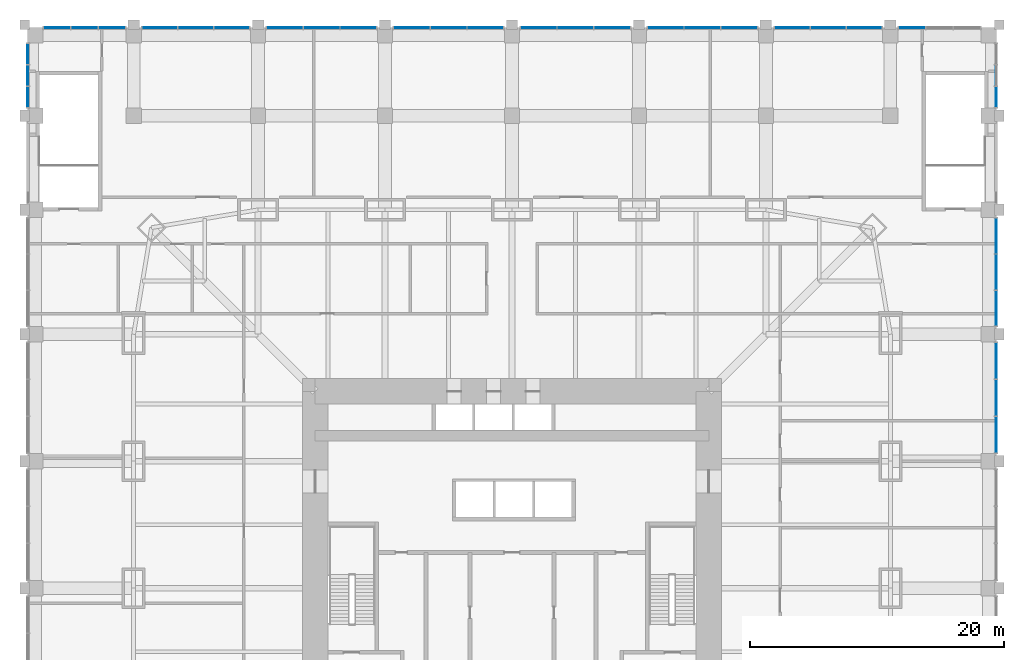
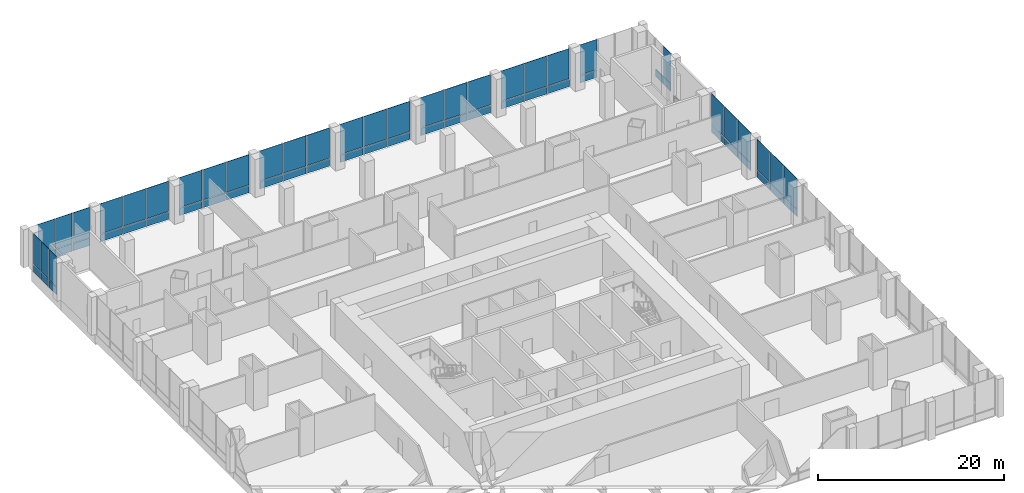
# One storey, part 15 of 22: 65 plates, 12 elements without a shape of their own.
"""IFC4 building model written with IfcOpenShell, lengths in metres."""

from ifc_helpers import new_model, si_unit, direction, frame, origin, origin_2d, place, context, subcontext, project, spatial, rectangle, extrude, material, layer, layer_set, type_object, element, aggregate, save


model = new_model("IFC4")

# Units and contexts
model_context = context("Model", 3, precision=1e-05, world=origin(), true_north=direction((0.0, 1.0)))
body_context = subcontext(model_context, "Body", "Model", "MODEL_VIEW")
ifc_project = project(units=[si_unit("LENGTHUNIT", "METRE"), si_unit("AREAUNIT", "SQUARE_METRE"), si_unit("VOLUMEUNIT", "CUBIC_METRE"), si_unit("PLANEANGLEUNIT", "RADIAN"), si_unit("MASSUNIT", "GRAM", prefix="KILO")], contexts=[model_context])

# Site, building, storey
site_placement = place(None, origin())
site = spatial("IfcSite", under=ifc_project, at=site_placement, CompositionType="ELEMENT")
building_placement = place(site_placement, origin())
building = spatial("IfcBuilding", under=site, at=building_placement, Name="Khuree Lantern Residences", CompositionType="ELEMENT")
storey_placement = place(building_placement, frame((0.0, 0.0, 16.0)))
storey = spatial("IfcBuildingStorey", under=building, at=storey_placement, Name="L03", CompositionType="ELEMENT", Elevation=16.0)

# Curtain wall, plates
ifc_material_1 = material(Name="Bronze anodised aluminium", Category="aluminium")
curtain_wall_type = type_object("IfcCurtainWallType", Name="CW-P PODIUM STOREFRONT CURTAIN WALL", PredefinedType="USERDEFINED", material=ifc_material_1)
curtain_wall_1_placement = place(storey_placement, origin())
curtain_wall_1 = element("IfcCurtainWall", 1, at=curtain_wall_1_placement, inside=storey, type_object=curtain_wall_type, Name="L03 EAST FACE BAY 5 STOREFRONT", ObjectType="Storefront curtain wall", PredefinedType="USERDEFINED")
ifc_material_2 = material(Name="Bronze tinted laminated triple glazing", Category="glass")
ifc_layer_1 = layer(ifc_material_2, 0.0400390625)
ifc_layer_set_1 = layer_set([ifc_layer_1], Name="STOREFRONT GLASS PANEL P9")
plate_type_1 = type_object("IfcPlateType", Name="STOREFRONT GLASS PANEL P9", PredefinedType="CURTAIN_PANEL", material=ifc_layer_set_1)
plate_1_placement = place(storey_placement, frame((38.14990234375, 12.091552734375, 1.03759765625), z_axis=(0.0, 0.0, 1.0), x_axis=(0.0, 1.0, 0.0)))
plate_1 = element("IfcPlate", 2, at=plate_1_placement, type_object=plate_type_1, Name="L03 EAST FACE BAY 5 PANEL 1.2", PredefinedType="CURTAIN_PANEL", context=body_context, shape_type="SweptSolid", body=[
    extrude(rectangle(XDim=2.833251953125, YDim=0.0400390625, at=origin_2d()), origin(), (0.0, 0.0, 1.0), 3.96240234375),
])
plate_2_placement = place(storey_placement, frame((38.14990234375, 15.0, 1.03759765625), z_axis=(0.0, 0.0, 1.0), x_axis=(0.0, 1.0, 0.0)))
plate_2 = element("IfcPlate", 3, at=plate_2_placement, type_object=plate_type_1, Name="L03 EAST FACE BAY 5 PANEL 2.2", PredefinedType="CURTAIN_PANEL", context=body_context, shape_type="SweptSolid", body=[
    extrude(rectangle(XDim=2.833251953125, YDim=0.0400390625, at=origin_2d()), origin(), (0.0, 0.0, 1.0), 3.96240234375),
])
plate_3_placement = place(storey_placement, frame((38.14990234375, 17.908447265625, 1.03759765625), z_axis=(0.0, 0.0, 1.0), x_axis=(0.0, 1.0, 0.0)))
plate_3 = element("IfcPlate", 4, at=plate_3_placement, type_object=plate_type_1, Name="L03 EAST FACE BAY 5 PANEL 3.2", PredefinedType="CURTAIN_PANEL", context=body_context, shape_type="SweptSolid", body=[
    extrude(rectangle(XDim=2.833251953125, YDim=0.0400390625, at=origin_2d()), origin(), (0.0, 0.0, 1.0), 3.96240234375),
])

curtain_wall_2_placement = place(storey_placement, origin())
curtain_wall_2 = element("IfcCurtainWall", 5, at=curtain_wall_2_placement, inside=storey, type_object=curtain_wall_type, Name="L03 EAST FACE BAY 6 STOREFRONT", ObjectType="Storefront curtain wall", PredefinedType="USERDEFINED")
plate_4_placement = place(storey_placement, frame((38.14990234375, 22.058349609375, 1.03759765625), z_axis=(0.0, 0.0, 1.0), x_axis=(0.0, 1.0, 0.0)))
plate_4 = element("IfcPlate", 6, at=plate_4_placement, type_object=plate_type_1, Name="L03 EAST FACE BAY 6 PANEL 1.2", PredefinedType="CURTAIN_PANEL", context=body_context, shape_type="SweptSolid", body=[
    extrude(rectangle(XDim=2.7666015625, YDim=0.0400390625, at=origin_2d()), origin(), (0.0, 0.0, 1.0), 3.96240234375),
])
plate_5_placement = place(storey_placement, frame((38.14990234375, 24.89990234375, 1.03759765625), z_axis=(0.0, 0.0, 1.0), x_axis=(0.0, 1.0, 0.0)))
plate_5 = element("IfcPlate", 7, at=plate_5_placement, type_object=plate_type_1, Name="L03 EAST FACE BAY 6 PANEL 2.2", PredefinedType="CURTAIN_PANEL", context=body_context, shape_type="SweptSolid", body=[
    extrude(rectangle(XDim=2.7666015625, YDim=0.0400390625, at=origin_2d()), origin(), (0.0, 0.0, 1.0), 3.96240234375),
])
plate_6_placement = place(storey_placement, frame((38.14990234375, 27.74169921875, 1.03759765625), z_axis=(0.0, 0.0, 1.0), x_axis=(0.0, 1.0, 0.0)))
plate_6 = element("IfcPlate", 8, at=plate_6_placement, type_object=plate_type_1, Name="L03 EAST FACE BAY 6 PANEL 3.2", PredefinedType="CURTAIN_PANEL", context=body_context, shape_type="SweptSolid", body=[
    extrude(rectangle(XDim=2.7666015625, YDim=0.0400390625, at=origin_2d()), origin(), (0.0, 0.0, 1.0), 3.96240234375),
])

# Curtain wall, plate
curtain_wall_3_placement = place(storey_placement, origin())
curtain_wall_3 = element("IfcCurtainWall", 9, at=curtain_wall_3_placement, inside=storey, type_object=curtain_wall_type, Name="L03 EAST FACE BAY 8 STOREFRONT", ObjectType="Storefront curtain wall", PredefinedType="USERDEFINED")
plate_7_placement = place(storey_placement, frame((38.14990234375, 38.683349609375, 1.03759765625), z_axis=(0.0, 0.0, 1.0), x_axis=(0.0, 1.0, 0.0)))
plate_7 = element("IfcPlate", 10, at=plate_7_placement, type_object=plate_type_1, Name="L03 EAST FACE BAY 8 PANEL 1.2", PredefinedType="CURTAIN_PANEL", context=body_context, shape_type="SweptSolid", body=[
    extrude(rectangle(XDim=1.61669921875, YDim=0.0400390625, at=origin_2d()), origin(), (0.0, 0.0, 1.0), 3.96240234375),
])

curtain_wall_4_placement = place(storey_placement, origin())
curtain_wall_4 = element("IfcCurtainWall", 11, at=curtain_wall_4_placement, inside=storey, type_object=curtain_wall_type, Name="L03 NORTH FACE BAY 1 STOREFRONT", ObjectType="Storefront curtain wall", PredefinedType="USERDEFINED")
plate_8_placement = place(storey_placement, frame((31.5166015625, 44.14990234375, 1.03759765625), z_axis=(0.0, 0.0, 1.0), x_axis=(-1.0, 0.0, 0.0)))
plate_8 = element("IfcPlate", 12, at=plate_8_placement, type_object=plate_type_1, Name="L03 NORTH FACE BAY 1 PANEL 3.2", PredefinedType="CURTAIN_PANEL", context=body_context, shape_type="SweptSolid", body=[
    extrude(rectangle(XDim=2.083251953125, YDim=0.0400390625, at=origin_2d()), origin(), (0.0, 0.0, 1.0), 3.96240234375),
])

# Curtain wall, plates
curtain_wall_5_placement = place(storey_placement, origin())
curtain_wall_5 = element("IfcCurtainWall", 13, at=curtain_wall_5_placement, inside=storey, type_object=curtain_wall_type, Name="L03 NORTH FACE BAY 2 STOREFRONT", ObjectType="Storefront curtain wall", PredefinedType="USERDEFINED")
plate_9_placement = place(storey_placement, frame((27.74169921875, 44.14990234375, 1.03759765625), z_axis=(0.0, 0.0, 1.0), x_axis=(-1.0, 0.0, 0.0)))
plate_9 = element("IfcPlate", 14, at=plate_9_placement, type_object=plate_type_1, Name="L03 NORTH FACE BAY 2 PANEL 1.2", PredefinedType="CURTAIN_PANEL", context=body_context, shape_type="SweptSolid", body=[
    extrude(rectangle(XDim=2.7666015625, YDim=0.0400390625, at=origin_2d()), origin(), (0.0, 0.0, 1.0), 3.96240234375),
])
plate_10_placement = place(storey_placement, frame((24.89990234375, 44.14990234375, 1.03759765625), z_axis=(0.0, 0.0, 1.0), x_axis=(-1.0, 0.0, 0.0)))
plate_10 = element("IfcPlate", 15, at=plate_10_placement, type_object=plate_type_1, Name="L03 NORTH FACE BAY 2 PANEL 2.2", PredefinedType="CURTAIN_PANEL", context=body_context, shape_type="SweptSolid", body=[
    extrude(rectangle(XDim=2.7666015625, YDim=0.0400390625, at=origin_2d()), origin(), (0.0, 0.0, 1.0), 3.96240234375),
])
plate_11_placement = place(storey_placement, frame((22.058349609375, 44.14990234375, 1.03759765625), z_axis=(0.0, 0.0, 1.0), x_axis=(-1.0, 0.0, 0.0)))
plate_11 = element("IfcPlate", 16, at=plate_11_placement, type_object=plate_type_1, Name="L03 NORTH FACE BAY 2 PANEL 3.2", PredefinedType="CURTAIN_PANEL", context=body_context, shape_type="SweptSolid", body=[
    extrude(rectangle(XDim=2.7666015625, YDim=0.0400390625, at=origin_2d()), origin(), (0.0, 0.0, 1.0), 3.96240234375),
])

curtain_wall_6_placement = place(storey_placement, origin())
curtain_wall_6 = element("IfcCurtainWall", 17, at=curtain_wall_6_placement, inside=storey, type_object=curtain_wall_type, Name="L03 NORTH FACE BAY 3 STOREFRONT", ObjectType="Storefront curtain wall", PredefinedType="USERDEFINED")
plate_12_placement = place(storey_placement, frame((17.908447265625, 44.14990234375, 1.03759765625), z_axis=(0.0, 0.0, 1.0), x_axis=(-1.0, 0.0, 0.0)))
plate_12 = element("IfcPlate", 18, at=plate_12_placement, type_object=plate_type_1, Name="L03 NORTH FACE BAY 3 PANEL 1.2", PredefinedType="CURTAIN_PANEL", context=body_context, shape_type="SweptSolid", body=[
    extrude(rectangle(XDim=2.833251953125, YDim=0.0400390625, at=origin_2d()), origin(), (0.0, 0.0, 1.0), 3.96240234375),
])
plate_13_placement = place(storey_placement, frame((15.0, 44.14990234375, 1.03759765625), z_axis=(0.0, 0.0, 1.0), x_axis=(-1.0, 0.0, 0.0)))
plate_13 = element("IfcPlate", 19, at=plate_13_placement, type_object=plate_type_1, Name="L03 NORTH FACE BAY 3 PANEL 2.2", PredefinedType="CURTAIN_PANEL", context=body_context, shape_type="SweptSolid", body=[
    extrude(rectangle(XDim=2.833251953125, YDim=0.0400390625, at=origin_2d()), origin(), (0.0, 0.0, 1.0), 3.96240234375),
])
plate_14_placement = place(storey_placement, frame((12.091552734375, 44.14990234375, 1.03759765625), z_axis=(0.0, 0.0, 1.0), x_axis=(-1.0, 0.0, 0.0)))
plate_14 = element("IfcPlate", 20, at=plate_14_placement, type_object=plate_type_1, Name="L03 NORTH FACE BAY 3 PANEL 3.2", PredefinedType="CURTAIN_PANEL", context=body_context, shape_type="SweptSolid", body=[
    extrude(rectangle(XDim=2.833251953125, YDim=0.0400390625, at=origin_2d()), origin(), (0.0, 0.0, 1.0), 3.96240234375),
])

curtain_wall_7_placement = place(storey_placement, origin())
curtain_wall_7 = element("IfcCurtainWall", 21, at=curtain_wall_7_placement, inside=storey, type_object=curtain_wall_type, Name="L03 NORTH FACE BAY 4 STOREFRONT", ObjectType="Storefront curtain wall", PredefinedType="USERDEFINED")
plate_15_placement = place(storey_placement, frame((7.908447265625, 44.14990234375, 1.03759765625), z_axis=(0.0, 0.0, 1.0), x_axis=(-1.0, 0.0, 0.0)))
plate_15 = element("IfcPlate", 22, at=plate_15_placement, type_object=plate_type_1, Name="L03 NORTH FACE BAY 4 PANEL 1.2", PredefinedType="CURTAIN_PANEL", context=body_context, shape_type="SweptSolid", body=[
    extrude(rectangle(XDim=2.833251953125, YDim=0.0400390625, at=origin_2d()), origin(), (0.0, 0.0, 1.0), 3.96240234375),
])
plate_16_placement = place(storey_placement, frame((5.0, 44.14990234375, 1.03759765625), z_axis=(0.0, 0.0, 1.0), x_axis=(-1.0, 0.0, 0.0)))
plate_16 = element("IfcPlate", 23, at=plate_16_placement, type_object=plate_type_1, Name="L03 NORTH FACE BAY 4 PANEL 2.2", PredefinedType="CURTAIN_PANEL", context=body_context, shape_type="SweptSolid", body=[
    extrude(rectangle(XDim=2.833251953125, YDim=0.0400390625, at=origin_2d()), origin(), (0.0, 0.0, 1.0), 3.96240234375),
])
plate_17_placement = place(storey_placement, frame((2.091552734375, 44.14990234375, 1.03759765625), z_axis=(0.0, 0.0, 1.0), x_axis=(-1.0, 0.0, 0.0)))
plate_17 = element("IfcPlate", 24, at=plate_17_placement, type_object=plate_type_1, Name="L03 NORTH FACE BAY 4 PANEL 3.2", PredefinedType="CURTAIN_PANEL", context=body_context, shape_type="SweptSolid", body=[
    extrude(rectangle(XDim=2.833251953125, YDim=0.0400390625, at=origin_2d()), origin(), (0.0, 0.0, 1.0), 3.96240234375),
])

curtain_wall_8_placement = place(storey_placement, origin())
curtain_wall_8 = element("IfcCurtainWall", 25, at=curtain_wall_8_placement, inside=storey, type_object=curtain_wall_type, Name="L03 NORTH FACE BAY 5 STOREFRONT", ObjectType="Storefront curtain wall", PredefinedType="USERDEFINED")
plate_18_placement = place(storey_placement, frame((-2.091552734375, 44.14990234375, 1.03759765625), z_axis=(0.0, 0.0, 1.0), x_axis=(-1.0, 0.0, 0.0)))
plate_18 = element("IfcPlate", 26, at=plate_18_placement, type_object=plate_type_1, Name="L03 NORTH FACE BAY 5 PANEL 1.2", PredefinedType="CURTAIN_PANEL", context=body_context, shape_type="SweptSolid", body=[
    extrude(rectangle(XDim=2.833251953125, YDim=0.0400390625, at=origin_2d()), origin(), (0.0, 0.0, 1.0), 3.96240234375),
])
plate_19_placement = place(storey_placement, frame((-5.0, 44.14990234375, 1.03759765625), z_axis=(0.0, 0.0, 1.0), x_axis=(-1.0, 0.0, 0.0)))
plate_19 = element("IfcPlate", 27, at=plate_19_placement, type_object=plate_type_1, Name="L03 NORTH FACE BAY 5 PANEL 2.2", PredefinedType="CURTAIN_PANEL", context=body_context, shape_type="SweptSolid", body=[
    extrude(rectangle(XDim=2.833251953125, YDim=0.0400390625, at=origin_2d()), origin(), (0.0, 0.0, 1.0), 3.96240234375),
])
plate_20_placement = place(storey_placement, frame((-7.908447265625, 44.14990234375, 1.03759765625), z_axis=(0.0, 0.0, 1.0), x_axis=(-1.0, 0.0, 0.0)))
plate_20 = element("IfcPlate", 28, at=plate_20_placement, type_object=plate_type_1, Name="L03 NORTH FACE BAY 5 PANEL 3.2", PredefinedType="CURTAIN_PANEL", context=body_context, shape_type="SweptSolid", body=[
    extrude(rectangle(XDim=2.833251953125, YDim=0.0400390625, at=origin_2d()), origin(), (0.0, 0.0, 1.0), 3.96240234375),
])

curtain_wall_9_placement = place(storey_placement, origin())
curtain_wall_9 = element("IfcCurtainWall", 29, at=curtain_wall_9_placement, inside=storey, type_object=curtain_wall_type, Name="L03 NORTH FACE BAY 6 STOREFRONT", ObjectType="Storefront curtain wall", PredefinedType="USERDEFINED")
plate_21_placement = place(storey_placement, frame((-12.091552734375, 44.14990234375, 1.03759765625), z_axis=(0.0, 0.0, 1.0), x_axis=(-1.0, 0.0, 0.0)))
plate_21 = element("IfcPlate", 30, at=plate_21_placement, type_object=plate_type_1, Name="L03 NORTH FACE BAY 6 PANEL 1.2", PredefinedType="CURTAIN_PANEL", context=body_context, shape_type="SweptSolid", body=[
    extrude(rectangle(XDim=2.833251953125, YDim=0.0400390625, at=origin_2d()), origin(), (0.0, 0.0, 1.0), 3.96240234375),
])
plate_22_placement = place(storey_placement, frame((-15.0, 44.14990234375, 1.03759765625), z_axis=(0.0, 0.0, 1.0), x_axis=(-1.0, 0.0, 0.0)))
plate_22 = element("IfcPlate", 31, at=plate_22_placement, type_object=plate_type_1, Name="L03 NORTH FACE BAY 6 PANEL 2.2", PredefinedType="CURTAIN_PANEL", context=body_context, shape_type="SweptSolid", body=[
    extrude(rectangle(XDim=2.833251953125, YDim=0.0400390625, at=origin_2d()), origin(), (0.0, 0.0, 1.0), 3.96240234375),
])
plate_23_placement = place(storey_placement, frame((-17.908447265625, 44.14990234375, 1.03759765625), z_axis=(0.0, 0.0, 1.0), x_axis=(-1.0, 0.0, 0.0)))
plate_23 = element("IfcPlate", 32, at=plate_23_placement, type_object=plate_type_1, Name="L03 NORTH FACE BAY 6 PANEL 3.2", PredefinedType="CURTAIN_PANEL", context=body_context, shape_type="SweptSolid", body=[
    extrude(rectangle(XDim=2.833251953125, YDim=0.0400390625, at=origin_2d()), origin(), (0.0, 0.0, 1.0), 3.96240234375),
])

curtain_wall_10_placement = place(storey_placement, origin())
curtain_wall_10 = element("IfcCurtainWall", 33, at=curtain_wall_10_placement, inside=storey, type_object=curtain_wall_type, Name="L03 NORTH FACE BAY 7 STOREFRONT", ObjectType="Storefront curtain wall", PredefinedType="USERDEFINED")
plate_24_placement = place(storey_placement, frame((-22.058349609375, 44.14990234375, 1.03759765625), z_axis=(0.0, 0.0, 1.0), x_axis=(-1.0, 0.0, 0.0)))
plate_24 = element("IfcPlate", 34, at=plate_24_placement, type_object=plate_type_1, Name="L03 NORTH FACE BAY 7 PANEL 1.2", PredefinedType="CURTAIN_PANEL", context=body_context, shape_type="SweptSolid", body=[
    extrude(rectangle(XDim=2.7666015625, YDim=0.0400390625, at=origin_2d()), origin(), (0.0, 0.0, 1.0), 3.96240234375),
])
plate_25_placement = place(storey_placement, frame((-24.89990234375, 44.14990234375, 1.03759765625), z_axis=(0.0, 0.0, 1.0), x_axis=(-1.0, 0.0, 0.0)))
plate_25 = element("IfcPlate", 35, at=plate_25_placement, type_object=plate_type_1, Name="L03 NORTH FACE BAY 7 PANEL 2.2", PredefinedType="CURTAIN_PANEL", context=body_context, shape_type="SweptSolid", body=[
    extrude(rectangle(XDim=2.7666015625, YDim=0.0400390625, at=origin_2d()), origin(), (0.0, 0.0, 1.0), 3.96240234375),
])
plate_26_placement = place(storey_placement, frame((-27.74169921875, 44.14990234375, 1.03759765625), z_axis=(0.0, 0.0, 1.0), x_axis=(-1.0, 0.0, 0.0)))
plate_26 = element("IfcPlate", 36, at=plate_26_placement, type_object=plate_type_1, Name="L03 NORTH FACE BAY 7 PANEL 3.2", PredefinedType="CURTAIN_PANEL", context=body_context, shape_type="SweptSolid", body=[
    extrude(rectangle(XDim=2.7666015625, YDim=0.0400390625, at=origin_2d()), origin(), (0.0, 0.0, 1.0), 3.96240234375),
])

curtain_wall_11_placement = place(storey_placement, origin())
curtain_wall_11 = element("IfcCurtainWall", 37, at=curtain_wall_11_placement, inside=storey, type_object=curtain_wall_type, Name="L03 NORTH FACE BAY 8 STOREFRONT", ObjectType="Storefront curtain wall", PredefinedType="USERDEFINED")
plate_27_placement = place(storey_placement, frame((-31.5166015625, 44.14990234375, 1.03759765625), z_axis=(0.0, 0.0, 1.0), x_axis=(-1.0, 0.0, 0.0)))
plate_27 = element("IfcPlate", 38, at=plate_27_placement, type_object=plate_type_1, Name="L03 NORTH FACE BAY 8 PANEL 1.2", PredefinedType="CURTAIN_PANEL", context=body_context, shape_type="SweptSolid", body=[
    extrude(rectangle(XDim=2.083251953125, YDim=0.0400390625, at=origin_2d()), origin(), (0.0, 0.0, 1.0), 3.96240234375),
])
plate_28_placement = place(storey_placement, frame((-33.675048828125, 44.14990234375, 1.03759765625), z_axis=(0.0, 0.0, 1.0), x_axis=(-1.0, 0.0, 0.0)))
plate_28 = element("IfcPlate", 39, at=plate_28_placement, type_object=plate_type_1, Name="L03 NORTH FACE BAY 8 PANEL 2.2", PredefinedType="CURTAIN_PANEL", context=body_context, shape_type="SweptSolid", body=[
    extrude(rectangle(XDim=2.083251953125, YDim=0.0400390625, at=origin_2d()), origin(), (0.0, 0.0, 1.0), 3.96240234375),
])
plate_29_placement = place(storey_placement, frame((-35.833251953125, 44.14990234375, 1.03759765625), z_axis=(0.0, 0.0, 1.0), x_axis=(-1.0, 0.0, 0.0)))
plate_29 = element("IfcPlate", 40, at=plate_29_placement, type_object=plate_type_1, Name="L03 NORTH FACE BAY 8 PANEL 3.2", PredefinedType="CURTAIN_PANEL", context=body_context, shape_type="SweptSolid", body=[
    extrude(rectangle(XDim=2.083251953125, YDim=0.0400390625, at=origin_2d()), origin(), (0.0, 0.0, 1.0), 3.96240234375),
])

curtain_wall_12_placement = place(storey_placement, origin())
curtain_wall_12 = element("IfcCurtainWall", 41, at=curtain_wall_12_placement, inside=storey, type_object=curtain_wall_type, Name="L03 WEST FACE BAY 1 STOREFRONT", ObjectType="Storefront curtain wall", PredefinedType="USERDEFINED")
plate_30_placement = place(storey_placement, frame((-38.14990234375, 42.066650390625, 1.03759765625), z_axis=(0.0, 0.0, 1.0), x_axis=(0.0, -1.0, 0.0)))
plate_30 = element("IfcPlate", 42, at=plate_30_placement, type_object=plate_type_1, Name="L03 WEST FACE BAY 1 PANEL 1.2", PredefinedType="CURTAIN_PANEL", context=body_context, shape_type="SweptSolid", body=[
    extrude(rectangle(XDim=1.61669921875, YDim=0.0400390625, at=origin_2d()), origin(), (0.0, 0.0, 1.0), 3.96240234375),
])
plate_31_placement = place(storey_placement, frame((-38.14990234375, 40.375, 1.03759765625), z_axis=(0.0, 0.0, 1.0), x_axis=(0.0, -1.0, 0.0)))
plate_31 = element("IfcPlate", 43, at=plate_31_placement, type_object=plate_type_1, Name="L03 WEST FACE BAY 1 PANEL 2.2", PredefinedType="CURTAIN_PANEL", context=body_context, shape_type="SweptSolid", body=[
    extrude(rectangle(XDim=1.61669921875, YDim=0.0400390625, at=origin_2d()), origin(), (0.0, 0.0, 1.0), 3.96240234375),
])
plate_32_placement = place(storey_placement, frame((-38.14990234375, 38.683349609375, 1.03759765625), z_axis=(0.0, 0.0, 1.0), x_axis=(0.0, -1.0, 0.0)))
plate_32 = element("IfcPlate", 44, at=plate_32_placement, type_object=plate_type_1, Name="L03 WEST FACE BAY 1 PANEL 3.2", PredefinedType="CURTAIN_PANEL", context=body_context, shape_type="SweptSolid", body=[
    extrude(rectangle(XDim=1.61669921875, YDim=0.0400390625, at=origin_2d()), origin(), (0.0, 0.0, 1.0), 3.96240234375),
])

# Plate
ifc_material_3 = material(Name="Bronze anodised aluminium insulated spandrel", Category="aluminium")
ifc_layer_2 = layer(ifc_material_3, 0.06005859375)
ifc_layer_set_2 = layer_set([ifc_layer_2], Name="STOREFRONT SPANDREL PANEL P10")
plate_type_2 = type_object("IfcPlateType", Name="STOREFRONT SPANDREL PANEL P10", PredefinedType="CURTAIN_PANEL", material=ifc_layer_set_2)
plate_33_placement = place(storey_placement, frame((38.14990234375, 12.091552734375, 0.0), z_axis=(0.0, 0.0, 1.0), x_axis=(0.0, 1.0, 0.0)))
plate_33 = element("IfcPlate", 45, at=plate_33_placement, type_object=plate_type_2, Name="L03 EAST FACE BAY 5 PANEL 1.1", PredefinedType="CURTAIN_PANEL", context=body_context, shape_type="SweptSolid", body=[
    extrude(rectangle(XDim=2.833251953125, YDim=0.06005859375, at=origin_2d()), origin(), (0.0, 0.0, 1.0), 0.96240234375),
])

plate_34_placement = place(storey_placement, frame((38.14990234375, 15.0, 0.0), z_axis=(0.0, 0.0, 1.0), x_axis=(0.0, 1.0, 0.0)))
plate_34 = element("IfcPlate", 46, at=plate_34_placement, type_object=plate_type_2, Name="L03 EAST FACE BAY 5 PANEL 2.1", PredefinedType="CURTAIN_PANEL", context=body_context, shape_type="SweptSolid", body=[
    extrude(rectangle(XDim=2.833251953125, YDim=0.06005859375, at=origin_2d()), origin(), (0.0, 0.0, 1.0), 0.96240234375),
])

plate_35_placement = place(storey_placement, frame((38.14990234375, 17.908447265625, 0.0), z_axis=(0.0, 0.0, 1.0), x_axis=(0.0, 1.0, 0.0)))
plate_35 = element("IfcPlate", 47, at=plate_35_placement, type_object=plate_type_2, Name="L03 EAST FACE BAY 5 PANEL 3.1", PredefinedType="CURTAIN_PANEL", context=body_context, shape_type="SweptSolid", body=[
    extrude(rectangle(XDim=2.833251953125, YDim=0.06005859375, at=origin_2d()), origin(), (0.0, 0.0, 1.0), 0.96240234375),
])

aggregate(curtain_wall_1, [plate_33, plate_1, plate_34, plate_2, plate_35, plate_3])

plate_36_placement = place(storey_placement, frame((38.14990234375, 22.058349609375, 0.0), z_axis=(0.0, 0.0, 1.0), x_axis=(0.0, 1.0, 0.0)))
plate_36 = element("IfcPlate", 48, at=plate_36_placement, type_object=plate_type_2, Name="L03 EAST FACE BAY 6 PANEL 1.1", PredefinedType="CURTAIN_PANEL", context=body_context, shape_type="SweptSolid", body=[
    extrude(rectangle(XDim=2.7666015625, YDim=0.06005859375, at=origin_2d()), origin(), (0.0, 0.0, 1.0), 0.96240234375),
])

plate_37_placement = place(storey_placement, frame((38.14990234375, 24.89990234375, 0.0), z_axis=(0.0, 0.0, 1.0), x_axis=(0.0, 1.0, 0.0)))
plate_37 = element("IfcPlate", 49, at=plate_37_placement, type_object=plate_type_2, Name="L03 EAST FACE BAY 6 PANEL 2.1", PredefinedType="CURTAIN_PANEL", context=body_context, shape_type="SweptSolid", body=[
    extrude(rectangle(XDim=2.7666015625, YDim=0.06005859375, at=origin_2d()), origin(), (0.0, 0.0, 1.0), 0.96240234375),
])

plate_38_placement = place(storey_placement, frame((38.14990234375, 27.74169921875, 0.0), z_axis=(0.0, 0.0, 1.0), x_axis=(0.0, 1.0, 0.0)))
plate_38 = element("IfcPlate", 50, at=plate_38_placement, type_object=plate_type_2, Name="L03 EAST FACE BAY 6 PANEL 3.1", PredefinedType="CURTAIN_PANEL", context=body_context, shape_type="SweptSolid", body=[
    extrude(rectangle(XDim=2.7666015625, YDim=0.06005859375, at=origin_2d()), origin(), (0.0, 0.0, 1.0), 0.96240234375),
])

aggregate(curtain_wall_2, [plate_36, plate_4, plate_37, plate_5, plate_38, plate_6])

plate_39_placement = place(storey_placement, frame((38.14990234375, 38.683349609375, 0.0), z_axis=(0.0, 0.0, 1.0), x_axis=(0.0, 1.0, 0.0)))
plate_39 = element("IfcPlate", 51, at=plate_39_placement, type_object=plate_type_2, Name="L03 EAST FACE BAY 8 PANEL 1.1", PredefinedType="CURTAIN_PANEL", context=body_context, shape_type="SweptSolid", body=[
    extrude(rectangle(XDim=1.61669921875, YDim=0.06005859375, at=origin_2d()), origin(), (0.0, 0.0, 1.0), 0.96240234375),
])

plate_40_placement = place(storey_placement, frame((38.14990234375, 40.375, 0.0), z_axis=(0.0, 0.0, 1.0), x_axis=(0.0, 1.0, 0.0)))
plate_40 = element("IfcPlate", 52, at=plate_40_placement, type_object=plate_type_2, Name="L03 EAST FACE BAY 8 PANEL 2.1", PredefinedType="CURTAIN_PANEL", context=body_context, shape_type="SweptSolid", body=[
    extrude(rectangle(XDim=1.61669921875, YDim=0.06005859375, at=origin_2d()), origin(), (0.0, 0.0, 1.0), 0.96240234375),
])

aggregate(curtain_wall_3, [plate_39, plate_7, plate_40])

plate_41_placement = place(storey_placement, frame((31.5166015625, 44.14990234375, 0.0), z_axis=(0.0, 0.0, 1.0), x_axis=(-1.0, 0.0, 0.0)))
plate_41 = element("IfcPlate", 53, at=plate_41_placement, type_object=plate_type_2, Name="L03 NORTH FACE BAY 1 PANEL 3.1", PredefinedType="CURTAIN_PANEL", context=body_context, shape_type="SweptSolid", body=[
    extrude(rectangle(XDim=2.083251953125, YDim=0.06005859375, at=origin_2d()), origin(), (0.0, 0.0, 1.0), 0.96240234375),
])

aggregate(curtain_wall_4, [plate_41, plate_8])

plate_42_placement = place(storey_placement, frame((27.74169921875, 44.14990234375, 0.0), z_axis=(0.0, 0.0, 1.0), x_axis=(-1.0, 0.0, 0.0)))
plate_42 = element("IfcPlate", 54, at=plate_42_placement, type_object=plate_type_2, Name="L03 NORTH FACE BAY 2 PANEL 1.1", PredefinedType="CURTAIN_PANEL", context=body_context, shape_type="SweptSolid", body=[
    extrude(rectangle(XDim=2.7666015625, YDim=0.06005859375, at=origin_2d()), origin(), (0.0, 0.0, 1.0), 0.96240234375),
])

plate_43_placement = place(storey_placement, frame((24.89990234375, 44.14990234375, 0.0), z_axis=(0.0, 0.0, 1.0), x_axis=(-1.0, 0.0, 0.0)))
plate_43 = element("IfcPlate", 55, at=plate_43_placement, type_object=plate_type_2, Name="L03 NORTH FACE BAY 2 PANEL 2.1", PredefinedType="CURTAIN_PANEL", context=body_context, shape_type="SweptSolid", body=[
    extrude(rectangle(XDim=2.7666015625, YDim=0.06005859375, at=origin_2d()), origin(), (0.0, 0.0, 1.0), 0.96240234375),
])

plate_44_placement = place(storey_placement, frame((22.058349609375, 44.14990234375, 0.0), z_axis=(0.0, 0.0, 1.0), x_axis=(-1.0, 0.0, 0.0)))
plate_44 = element("IfcPlate", 56, at=plate_44_placement, type_object=plate_type_2, Name="L03 NORTH FACE BAY 2 PANEL 3.1", PredefinedType="CURTAIN_PANEL", context=body_context, shape_type="SweptSolid", body=[
    extrude(rectangle(XDim=2.7666015625, YDim=0.06005859375, at=origin_2d()), origin(), (0.0, 0.0, 1.0), 0.96240234375),
])

aggregate(curtain_wall_5, [plate_42, plate_9, plate_43, plate_10, plate_44, plate_11])

plate_45_placement = place(storey_placement, frame((17.908447265625, 44.14990234375, 0.0), z_axis=(0.0, 0.0, 1.0), x_axis=(-1.0, 0.0, 0.0)))
plate_45 = element("IfcPlate", 57, at=plate_45_placement, type_object=plate_type_2, Name="L03 NORTH FACE BAY 3 PANEL 1.1", PredefinedType="CURTAIN_PANEL", context=body_context, shape_type="SweptSolid", body=[
    extrude(rectangle(XDim=2.833251953125, YDim=0.06005859375, at=origin_2d()), origin(), (0.0, 0.0, 1.0), 0.96240234375),
])

plate_46_placement = place(storey_placement, frame((15.0, 44.14990234375, 0.0), z_axis=(0.0, 0.0, 1.0), x_axis=(-1.0, 0.0, 0.0)))
plate_46 = element("IfcPlate", 58, at=plate_46_placement, type_object=plate_type_2, Name="L03 NORTH FACE BAY 3 PANEL 2.1", PredefinedType="CURTAIN_PANEL", context=body_context, shape_type="SweptSolid", body=[
    extrude(rectangle(XDim=2.833251953125, YDim=0.06005859375, at=origin_2d()), origin(), (0.0, 0.0, 1.0), 0.96240234375),
])

plate_47_placement = place(storey_placement, frame((12.091552734375, 44.14990234375, 0.0), z_axis=(0.0, 0.0, 1.0), x_axis=(-1.0, 0.0, 0.0)))
plate_47 = element("IfcPlate", 59, at=plate_47_placement, type_object=plate_type_2, Name="L03 NORTH FACE BAY 3 PANEL 3.1", PredefinedType="CURTAIN_PANEL", context=body_context, shape_type="SweptSolid", body=[
    extrude(rectangle(XDim=2.833251953125, YDim=0.06005859375, at=origin_2d()), origin(), (0.0, 0.0, 1.0), 0.96240234375),
])

aggregate(curtain_wall_6, [plate_45, plate_12, plate_46, plate_13, plate_47, plate_14])

plate_48_placement = place(storey_placement, frame((7.908447265625, 44.14990234375, 0.0), z_axis=(0.0, 0.0, 1.0), x_axis=(-1.0, 0.0, 0.0)))
plate_48 = element("IfcPlate", 60, at=plate_48_placement, type_object=plate_type_2, Name="L03 NORTH FACE BAY 4 PANEL 1.1", PredefinedType="CURTAIN_PANEL", context=body_context, shape_type="SweptSolid", body=[
    extrude(rectangle(XDim=2.833251953125, YDim=0.06005859375, at=origin_2d()), origin(), (0.0, 0.0, 1.0), 0.96240234375),
])

plate_49_placement = place(storey_placement, frame((5.0, 44.14990234375, 0.0), z_axis=(0.0, 0.0, 1.0), x_axis=(-1.0, 0.0, 0.0)))
plate_49 = element("IfcPlate", 61, at=plate_49_placement, type_object=plate_type_2, Name="L03 NORTH FACE BAY 4 PANEL 2.1", PredefinedType="CURTAIN_PANEL", context=body_context, shape_type="SweptSolid", body=[
    extrude(rectangle(XDim=2.833251953125, YDim=0.06005859375, at=origin_2d()), origin(), (0.0, 0.0, 1.0), 0.96240234375),
])

plate_50_placement = place(storey_placement, frame((2.091552734375, 44.14990234375, 0.0), z_axis=(0.0, 0.0, 1.0), x_axis=(-1.0, 0.0, 0.0)))
plate_50 = element("IfcPlate", 62, at=plate_50_placement, type_object=plate_type_2, Name="L03 NORTH FACE BAY 4 PANEL 3.1", PredefinedType="CURTAIN_PANEL", context=body_context, shape_type="SweptSolid", body=[
    extrude(rectangle(XDim=2.833251953125, YDim=0.06005859375, at=origin_2d()), origin(), (0.0, 0.0, 1.0), 0.96240234375),
])

aggregate(curtain_wall_7, [plate_48, plate_15, plate_49, plate_16, plate_50, plate_17])

plate_51_placement = place(storey_placement, frame((-2.091552734375, 44.14990234375, 0.0), z_axis=(0.0, 0.0, 1.0), x_axis=(-1.0, 0.0, 0.0)))
plate_51 = element("IfcPlate", 63, at=plate_51_placement, type_object=plate_type_2, Name="L03 NORTH FACE BAY 5 PANEL 1.1", PredefinedType="CURTAIN_PANEL", context=body_context, shape_type="SweptSolid", body=[
    extrude(rectangle(XDim=2.833251953125, YDim=0.06005859375, at=origin_2d()), origin(), (0.0, 0.0, 1.0), 0.96240234375),
])

plate_52_placement = place(storey_placement, frame((-5.0, 44.14990234375, 0.0), z_axis=(0.0, 0.0, 1.0), x_axis=(-1.0, 0.0, 0.0)))
plate_52 = element("IfcPlate", 64, at=plate_52_placement, type_object=plate_type_2, Name="L03 NORTH FACE BAY 5 PANEL 2.1", PredefinedType="CURTAIN_PANEL", context=body_context, shape_type="SweptSolid", body=[
    extrude(rectangle(XDim=2.833251953125, YDim=0.06005859375, at=origin_2d()), origin(), (0.0, 0.0, 1.0), 0.96240234375),
])

plate_53_placement = place(storey_placement, frame((-7.908447265625, 44.14990234375, 0.0), z_axis=(0.0, 0.0, 1.0), x_axis=(-1.0, 0.0, 0.0)))
plate_53 = element("IfcPlate", 65, at=plate_53_placement, type_object=plate_type_2, Name="L03 NORTH FACE BAY 5 PANEL 3.1", PredefinedType="CURTAIN_PANEL", context=body_context, shape_type="SweptSolid", body=[
    extrude(rectangle(XDim=2.833251953125, YDim=0.06005859375, at=origin_2d()), origin(), (0.0, 0.0, 1.0), 0.96240234375),
])

aggregate(curtain_wall_8, [plate_51, plate_18, plate_52, plate_19, plate_53, plate_20])

plate_54_placement = place(storey_placement, frame((-12.091552734375, 44.14990234375, 0.0), z_axis=(0.0, 0.0, 1.0), x_axis=(-1.0, 0.0, 0.0)))
plate_54 = element("IfcPlate", 66, at=plate_54_placement, type_object=plate_type_2, Name="L03 NORTH FACE BAY 6 PANEL 1.1", PredefinedType="CURTAIN_PANEL", context=body_context, shape_type="SweptSolid", body=[
    extrude(rectangle(XDim=2.833251953125, YDim=0.06005859375, at=origin_2d()), origin(), (0.0, 0.0, 1.0), 0.96240234375),
])

plate_55_placement = place(storey_placement, frame((-15.0, 44.14990234375, 0.0), z_axis=(0.0, 0.0, 1.0), x_axis=(-1.0, 0.0, 0.0)))
plate_55 = element("IfcPlate", 67, at=plate_55_placement, type_object=plate_type_2, Name="L03 NORTH FACE BAY 6 PANEL 2.1", PredefinedType="CURTAIN_PANEL", context=body_context, shape_type="SweptSolid", body=[
    extrude(rectangle(XDim=2.833251953125, YDim=0.06005859375, at=origin_2d()), origin(), (0.0, 0.0, 1.0), 0.96240234375),
])

plate_56_placement = place(storey_placement, frame((-17.908447265625, 44.14990234375, 0.0), z_axis=(0.0, 0.0, 1.0), x_axis=(-1.0, 0.0, 0.0)))
plate_56 = element("IfcPlate", 68, at=plate_56_placement, type_object=plate_type_2, Name="L03 NORTH FACE BAY 6 PANEL 3.1", PredefinedType="CURTAIN_PANEL", context=body_context, shape_type="SweptSolid", body=[
    extrude(rectangle(XDim=2.833251953125, YDim=0.06005859375, at=origin_2d()), origin(), (0.0, 0.0, 1.0), 0.96240234375),
])

aggregate(curtain_wall_9, [plate_54, plate_21, plate_55, plate_22, plate_56, plate_23])

plate_57_placement = place(storey_placement, frame((-22.058349609375, 44.14990234375, 0.0), z_axis=(0.0, 0.0, 1.0), x_axis=(-1.0, 0.0, 0.0)))
plate_57 = element("IfcPlate", 69, at=plate_57_placement, type_object=plate_type_2, Name="L03 NORTH FACE BAY 7 PANEL 1.1", PredefinedType="CURTAIN_PANEL", context=body_context, shape_type="SweptSolid", body=[
    extrude(rectangle(XDim=2.7666015625, YDim=0.06005859375, at=origin_2d()), origin(), (0.0, 0.0, 1.0), 0.96240234375),
])

plate_58_placement = place(storey_placement, frame((-24.89990234375, 44.14990234375, 0.0), z_axis=(0.0, 0.0, 1.0), x_axis=(-1.0, 0.0, 0.0)))
plate_58 = element("IfcPlate", 70, at=plate_58_placement, type_object=plate_type_2, Name="L03 NORTH FACE BAY 7 PANEL 2.1", PredefinedType="CURTAIN_PANEL", context=body_context, shape_type="SweptSolid", body=[
    extrude(rectangle(XDim=2.7666015625, YDim=0.06005859375, at=origin_2d()), origin(), (0.0, 0.0, 1.0), 0.96240234375),
])

plate_59_placement = place(storey_placement, frame((-27.74169921875, 44.14990234375, 0.0), z_axis=(0.0, 0.0, 1.0), x_axis=(-1.0, 0.0, 0.0)))
plate_59 = element("IfcPlate", 71, at=plate_59_placement, type_object=plate_type_2, Name="L03 NORTH FACE BAY 7 PANEL 3.1", PredefinedType="CURTAIN_PANEL", context=body_context, shape_type="SweptSolid", body=[
    extrude(rectangle(XDim=2.7666015625, YDim=0.06005859375, at=origin_2d()), origin(), (0.0, 0.0, 1.0), 0.96240234375),
])

aggregate(curtain_wall_10, [plate_57, plate_24, plate_58, plate_25, plate_59, plate_26])

plate_60_placement = place(storey_placement, frame((-31.5166015625, 44.14990234375, 0.0), z_axis=(0.0, 0.0, 1.0), x_axis=(-1.0, 0.0, 0.0)))
plate_60 = element("IfcPlate", 72, at=plate_60_placement, type_object=plate_type_2, Name="L03 NORTH FACE BAY 8 PANEL 1.1", PredefinedType="CURTAIN_PANEL", context=body_context, shape_type="SweptSolid", body=[
    extrude(rectangle(XDim=2.083251953125, YDim=0.06005859375, at=origin_2d()), origin(), (0.0, 0.0, 1.0), 0.96240234375),
])

plate_61_placement = place(storey_placement, frame((-33.675048828125, 44.14990234375, 0.0), z_axis=(0.0, 0.0, 1.0), x_axis=(-1.0, 0.0, 0.0)))
plate_61 = element("IfcPlate", 73, at=plate_61_placement, type_object=plate_type_2, Name="L03 NORTH FACE BAY 8 PANEL 2.1", PredefinedType="CURTAIN_PANEL", context=body_context, shape_type="SweptSolid", body=[
    extrude(rectangle(XDim=2.083251953125, YDim=0.06005859375, at=origin_2d()), origin(), (0.0, 0.0, 1.0), 0.96240234375),
])

plate_62_placement = place(storey_placement, frame((-35.833251953125, 44.14990234375, 0.0), z_axis=(0.0, 0.0, 1.0), x_axis=(-1.0, 0.0, 0.0)))
plate_62 = element("IfcPlate", 74, at=plate_62_placement, type_object=plate_type_2, Name="L03 NORTH FACE BAY 8 PANEL 3.1", PredefinedType="CURTAIN_PANEL", context=body_context, shape_type="SweptSolid", body=[
    extrude(rectangle(XDim=2.083251953125, YDim=0.06005859375, at=origin_2d()), origin(), (0.0, 0.0, 1.0), 0.96240234375),
])

aggregate(curtain_wall_11, [plate_60, plate_27, plate_61, plate_28, plate_62, plate_29])

plate_63_placement = place(storey_placement, frame((-38.14990234375, 42.066650390625, 0.0), z_axis=(0.0, 0.0, 1.0), x_axis=(0.0, -1.0, 0.0)))
plate_63 = element("IfcPlate", 75, at=plate_63_placement, type_object=plate_type_2, Name="L03 WEST FACE BAY 1 PANEL 1.1", PredefinedType="CURTAIN_PANEL", context=body_context, shape_type="SweptSolid", body=[
    extrude(rectangle(XDim=1.61669921875, YDim=0.06005859375, at=origin_2d()), origin(), (0.0, 0.0, 1.0), 0.96240234375),
])

plate_64_placement = place(storey_placement, frame((-38.14990234375, 40.375, 0.0), z_axis=(0.0, 0.0, 1.0), x_axis=(0.0, -1.0, 0.0)))
plate_64 = element("IfcPlate", 76, at=plate_64_placement, type_object=plate_type_2, Name="L03 WEST FACE BAY 1 PANEL 2.1", PredefinedType="CURTAIN_PANEL", context=body_context, shape_type="SweptSolid", body=[
    extrude(rectangle(XDim=1.61669921875, YDim=0.06005859375, at=origin_2d()), origin(), (0.0, 0.0, 1.0), 0.96240234375),
])

plate_65_placement = place(storey_placement, frame((-38.14990234375, 38.683349609375, 0.0), z_axis=(0.0, 0.0, 1.0), x_axis=(0.0, -1.0, 0.0)))
plate_65 = element("IfcPlate", 77, at=plate_65_placement, type_object=plate_type_2, Name="L03 WEST FACE BAY 1 PANEL 3.1", PredefinedType="CURTAIN_PANEL", context=body_context, shape_type="SweptSolid", body=[
    extrude(rectangle(XDim=1.61669921875, YDim=0.06005859375, at=origin_2d()), origin(), (0.0, 0.0, 1.0), 0.96240234375),
])

aggregate(curtain_wall_12, [plate_63, plate_30, plate_64, plate_31, plate_65, plate_32])

save(model, "model.ifc")
